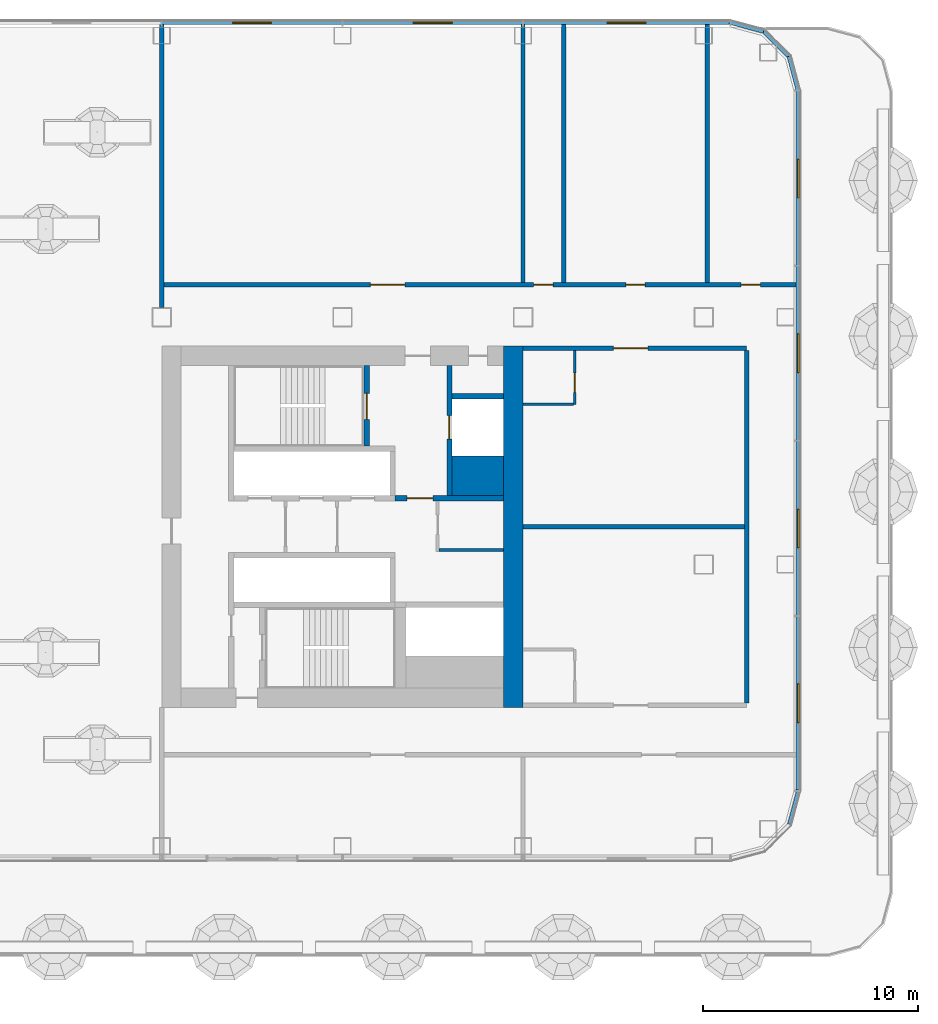
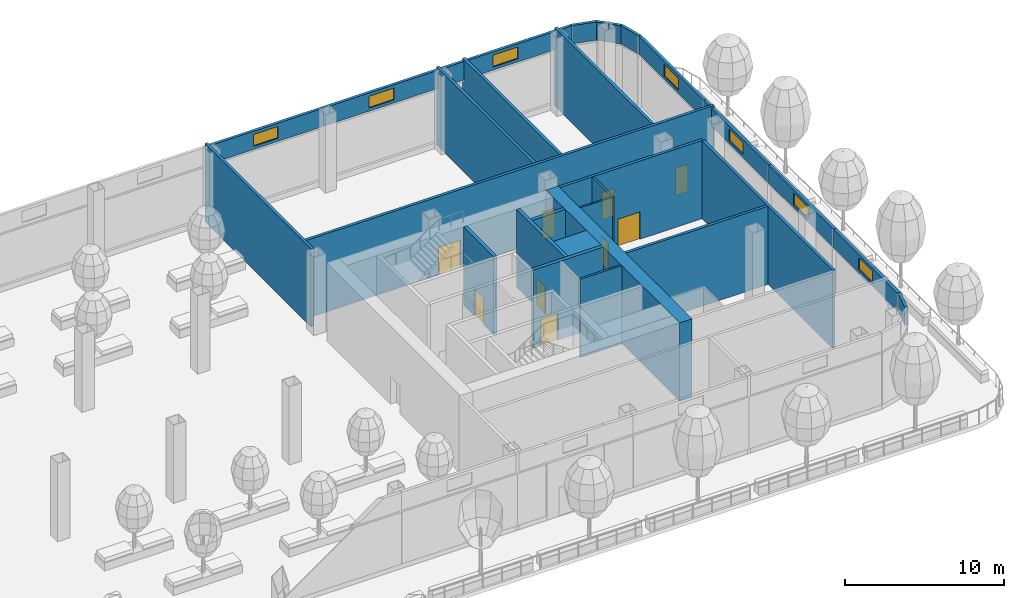
# One storey, part 16 of 44: 28 walls, 9 doors, 7 windows, 16 openings, 4 elements without a shape of their own.
"""IFC4 building model written with IfcOpenShell, lengths in metres."""

from ifc_helpers import new_model, si_unit, direction, frame, frame_2d, origin, place, context, subcontext, project, spatial, rectangle, extrude, material, layer, layer_set, type_object, element, fill, aggregate, save


model = new_model("IFC4")

# Units and contexts
model_context = context("Model", 3, precision=1e-05, world=origin(), true_north=direction((0.0, 1.0)))
body_context = subcontext(model_context, "Body", "Model", "MODEL_VIEW")
ifc_project = project(units=[si_unit("LENGTHUNIT", "METRE"), si_unit("AREAUNIT", "SQUARE_METRE"), si_unit("VOLUMEUNIT", "CUBIC_METRE"), si_unit("PLANEANGLEUNIT", "RADIAN"), si_unit("MASSUNIT", "GRAM", prefix="KILO")], contexts=[model_context])

# Site, building, storey
site_placement = place(None, origin())
site = spatial("IfcSite", under=ifc_project, at=site_placement, CompositionType="ELEMENT")
building_placement = place(site_placement, origin())
building = spatial("IfcBuilding", under=site, at=building_placement, Name="Hakoniwa Tower and Hamabe Station Hall", CompositionType="ELEMENT")
storey_placement = place(building_placement, frame((0.0, 0.0, 69.0)))
storey = spatial("IfcBuildingStorey", under=building, at=storey_placement, Name="L19", CompositionType="ELEMENT", Elevation=69.0)

# Walls
ifc_material_1 = material(Name="Gypsum board partition")
ifc_layer_1 = layer(ifc_material_1, 0.14990234375)
ifc_layer_set_1 = layer_set([ifc_layer_1], Name="CORE PARTITION 150 EI 60")
wall_type_1 = type_object("IfcWallType", Name="CORE PARTITION 150 EI 60", PredefinedType="PARTITIONING", material=ifc_layer_set_1)
wall_1_placement = place(storey_placement, frame((29.699951171875, -1.074951171875, 0.0), z_axis=(0.0, 0.0, 1.0), x_axis=(1.0, 0.0, 0.0)))
element("IfcWall", 1, at=wall_1_placement, inside=storey, type_object=wall_type_1, Name="Core partition PS east", PredefinedType="PARTITIONING", context=body_context, shape_type="SweptSolid", body=[
    extrude(rectangle(XDim=3.0, YDim=0.14990234375, at=frame_2d((1.5, 0.0))), origin(), (0.0, 0.0, 1.0), 6.0),
])
ifc_material_2 = material(Name="Concrete C72", Category="concrete")
ifc_layer_2 = layer(ifc_material_2, 0.89990234375)
ifc_layer_set_2 = layer_set([ifc_layer_2], Name="CORE WALL 900 C72")
wall_type_2 = type_object("IfcWallType", Name="CORE WALL 900 C72", PredefinedType="SHEAR", material=ifc_layer_set_2)
wall_2_placement = place(storey_placement, frame((33.14990234375, -8.39990234375, 0.0), z_axis=(0.0, 0.0, 1.0), x_axis=(0.0, 1.0, 0.0)))
element("IfcWall", 2, at=wall_2_placement, inside=storey, type_object=wall_type_2, Name="Core wall OUTER east", PredefinedType="SHEAR", context=body_context, shape_type="SweptSolid", body=[
    extrude(rectangle(XDim=16.7998046875, YDim=0.89990234375, at=frame_2d((8.39990234375, 0.0))), origin(), (0.0, 0.0, 1.0), 6.0),
])
ifc_material_3 = material(Name="Concrete C72", Category="concrete")
ifc_layer_3 = layer(ifc_material_3, 1.85009765625)
ifc_layer_set_3 = layer_set([ifc_layer_3], Name="CORE WEB WALL 1850 C72")
wall_type_3 = type_object("IfcWallType", Name="CORE WEB WALL 1850 C72", PredefinedType="SHEAR", material=ifc_layer_set_3)
wall_3_placement = place(storey_placement, frame((30.300048828125, 2.375, 0.0), z_axis=(0.0, 0.0, 1.0), x_axis=(1.0, 0.0, 0.0)))
element("IfcWall", 3, at=wall_3_placement, inside=storey, type_object=wall_type_3, Name="Core wall CA east", PredefinedType="SHEAR", context=body_context, shape_type="SweptSolid", body=[
    extrude(rectangle(XDim=2.39990234375, YDim=1.85009765625, at=frame_2d((1.199951171875, 0.0))), origin(), (0.0, 0.0, 1.0), 6.0),
])

# Wall, opening, door
ifc_material_4 = material(Name="Concrete C72", Category="concrete")
ifc_layer_4 = layer(ifc_material_4, 0.25)
ifc_layer_set_4 = layer_set([ifc_layer_4], Name="CORE WEB WALL 250 C72")
wall_type_4 = type_object("IfcWallType", Name="CORE WEB WALL 250 C72", PredefinedType="SHEAR", material=ifc_layer_set_4)
wall_4_placement = place(storey_placement, frame((26.324951171875, 3.75, 0.0), z_axis=(0.0, 0.0, 1.0), x_axis=(0.0, 1.0, 0.0)))
wall_4 = element("IfcWall", 4, at=wall_4_placement, inside=storey, type_object=wall_type_4, Name="Core wall NSE east", PredefinedType="SHEAR", context=body_context, shape_type="SweptSolid", body=[
    extrude(rectangle(XDim=3.75, YDim=0.25, at=frame_2d((1.875, 0.0))), origin(), (0.0, 0.0, 1.0), 6.0),
])
opening_1_placement = place(wall_4_placement, frame((1.25, 0.0, 0.0)))
opening_1 = element("IfcOpeningElement", 5, at=opening_1_placement, cuts=wall_4, Name="Opening CD-E-SN-12", PredefinedType="OPENING", context=body_context, shape_type="SweptSolid", body=[
    extrude(rectangle(XDim=1.199951171875, YDim=2.10009765625, at=frame_2d((0.60009765625, 1.050048828125))), frame((0.0, 0.135009765625, 0.0), z_axis=(0.0, -1.0, 0.0), x_axis=(1.0, 0.0, 0.0)), (0.0, 0.0, 1.0), 0.27001953125),
])
ifc_material_5 = material(Name="Steel fire door", Category="steel")
door_type_1 = type_object("IfcDoorType", Name="CORE DOOR 1200 FD60", OperationType="DOUBLE_DOOR_SINGLE_SWING", PredefinedType="DOOR", material=ifc_material_5)
door_1_placement = place(opening_1_placement, origin())
door_1 = element("IfcDoor", 6, at=door_1_placement, inside=storey, type_object=door_type_1, Name="Escape stair door", OperationType="DOUBLE_DOOR_SINGLE_SWING", OverallHeight=2.10009765625, OverallWidth=1.199951171875, PredefinedType="DOOR", context=body_context, shape_type="SweptSolid", body=[
    extrude(rectangle(XDim=1.199951171875, YDim=2.10009765625, at=frame_2d((0.60009765625, 1.050048828125))), frame((0.0, 0.02490234375, 0.0), z_axis=(0.0, -1.0, 0.0), x_axis=(1.0, 0.0, 0.0)), (0.0, 0.0, 1.0), 0.050048828125),
])
fill(opening_1, door_1)

wall_5_placement = place(storey_placement, frame((27.64990234375, 1.324951171875, 0.0), z_axis=(0.0, 0.0, 1.0), x_axis=(1.0, 0.0, 0.0)))
wall_5 = element("IfcWall", 7, at=wall_5_placement, inside=storey, type_object=wall_type_4, Name="Core wall ELN east", PredefinedType="SHEAR", context=body_context, shape_type="SweptSolid", body=[
    extrude(rectangle(XDim=5.050048828125, YDim=0.25, at=frame_2d((2.52490234375, 0.0))), origin(), (0.0, 0.0, 1.0), 6.0),
])
opening_2_placement = place(wall_5_placement, frame((0.550048828125, 0.0, 0.0)))
opening_2 = element("IfcOpeningElement", 8, at=opening_2_placement, cuts=wall_5, Name="Opening CD-E-FL-12", PredefinedType="OPENING", context=body_context, shape_type="SweptSolid", body=[
    extrude(rectangle(XDim=1.199951171875, YDim=2.10009765625, at=frame_2d((0.60009765625, 1.050048828125))), frame((0.0, 0.135009765625, 0.0), z_axis=(0.0, -1.0, 0.0), x_axis=(1.0, 0.0, 0.0)), (0.0, 0.0, 1.0), 0.27001953125),
])
door_2_placement = place(opening_2_placement, origin())
door_2 = element("IfcDoor", 9, at=door_2_placement, inside=storey, type_object=door_type_1, Name="Stair vestibule door to the fire-fighting lobby", OperationType="DOUBLE_DOOR_SINGLE_SWING", OverallHeight=2.10009765625, OverallWidth=1.199951171875, PredefinedType="DOOR", context=body_context, shape_type="SweptSolid", body=[
    extrude(rectangle(XDim=1.199951171875, YDim=2.10009765625, at=frame_2d((0.60009765625, 1.050048828125))), frame((0.0, 0.02490234375, 0.0), z_axis=(0.0, -1.0, 0.0), x_axis=(1.0, 0.0, 0.0)), (0.0, 0.0, 1.0), 0.050048828125),
])
fill(opening_2, door_2)

wall_6_placement = place(storey_placement, frame((30.175048828125, 1.449951171875, 0.0), z_axis=(0.0, 0.0, 1.0), x_axis=(0.0, 1.0, 0.0)))
wall_6 = element("IfcWall", 10, at=wall_6_placement, inside=storey, type_object=wall_type_4, Name="Core wall FFF east", PredefinedType="SHEAR", context=body_context, shape_type="SweptSolid", body=[
    extrude(rectangle(XDim=6.050048828125, YDim=0.25, at=frame_2d((3.02490234375, 0.0))), origin(), (0.0, 0.0, 1.0), 6.0),
])
opening_3_placement = place(wall_6_placement, frame((2.625, 0.0, 0.0)))
opening_3 = element("IfcOpeningElement", 11, at=opening_3_placement, cuts=wall_6, Name="Opening LD-FF2", PredefinedType="OPENING", context=body_context, shape_type="SweptSolid", body=[
    extrude(rectangle(XDim=1.10009765625, YDim=2.10009765625, at=frame_2d((0.550048828125, 1.050048828125))), frame((0.0, 0.135009765625, 0.0), z_axis=(0.0, -1.0, 0.0), x_axis=(1.0, 0.0, 0.0)), (0.0, 0.0, 1.0), 0.27001953125),
])
ifc_material_6 = material(Name="Stainless steel SUS304", Category="steel")
door_type_2 = type_object("IfcDoorType", Name="LIFT LANDING DOOR 1100 FD60", OperationType="DOUBLE_DOOR_SLIDING", PredefinedType="DOOR", material=ifc_material_6)
door_3_placement = place(opening_3_placement, origin())
door_3 = element("IfcDoor", 12, at=door_3_placement, inside=storey, type_object=door_type_2, Name="Lift landing door FF2 L19", OperationType="DOUBLE_DOOR_SLIDING", OverallHeight=2.10009765625, OverallWidth=1.10009765625, PredefinedType="DOOR", context=body_context, shape_type="SweptSolid", body=[
    extrude(rectangle(XDim=1.10009765625, YDim=2.10009765625, at=frame_2d((0.550048828125, 1.050048828125))), frame((0.0, 0.02490234375, 0.0), z_axis=(0.0, -1.0, 0.0), x_axis=(1.0, 0.0, 0.0)), (0.0, 0.0, 1.0), 0.050048828125),
])
fill(opening_3, door_3)

# Wall
wall_7_placement = place(storey_placement, frame((30.300048828125, 6.074951171875, 0.0), z_axis=(0.0, 0.0, 1.0), x_axis=(1.0, 0.0, 0.0)))
element("IfcWall", 13, at=wall_7_placement, inside=storey, type_object=wall_type_4, Name="Core wall C2 east", PredefinedType="SHEAR", context=body_context, shape_type="SweptSolid", body=[
    extrude(rectangle(XDim=2.39990234375, YDim=0.25, at=frame_2d((1.199951171875, 0.0))), origin(), (0.0, 0.0, 1.0), 6.0),
])

# Wall, opening, door
ifc_material_7 = material(Name="Fire-rated gypsum board partition", Category="gypsum")
ifc_layer_5 = layer(ifc_material_7, 0.199951171875)
ifc_layer_set_5 = layer_set([ifc_layer_5], Name="Corridor Wall 200")
wall_type_5 = type_object("IfcWallType", Name="Corridor Wall 200", PredefinedType="PARTITIONING", material=ifc_layer_set_5)
wall_8_placement = place(storey_placement, frame((33.60009765625, 8.300048828125, 0.0), z_axis=(0.0, 0.0, 1.0), x_axis=(1.0, 0.0, 0.0)))
wall_8 = element("IfcWall", 14, at=wall_8_placement, inside=storey, type_object=wall_type_5, Name="GW-L19-010", PredefinedType="PARTITIONING", context=body_context, shape_type="SweptSolid", body=[
    extrude(rectangle(XDim=10.39990234375, YDim=0.199951171875, at=frame_2d((5.199951171875, 0.0))), origin(), (0.0, 0.0, 1.0), 6.0),
])
opening_4_placement = place(wall_8_placement, frame((4.199951171875, 0.0, 0.0)))
opening_4 = element("IfcOpeningElement", 15, at=opening_4_placement, cuts=wall_8, Name="Opening GD-SL19-08", PredefinedType="OPENING", context=body_context, shape_type="SweptSolid", body=[
    extrude(rectangle(XDim=1.60009765625, YDim=2.10009765625, at=frame_2d((0.800048828125, 1.050048828125))), frame((0.0, 0.10986328125, 0.0), z_axis=(0.0, -1.0, 0.0), x_axis=(1.0, 0.0, 0.0)), (0.0, 0.0, 1.0), 0.219970703125),
])
ifc_material_8 = material(Name="Timber door leaf", Category="wood")
door_type_3 = type_object("IfcDoorType", Name="Double Door 1600", OperationType="DOUBLE_DOOR_SINGLE_SWING", PredefinedType="DOOR", material=ifc_material_8)
door_4_placement = place(opening_4_placement, origin())
door_4 = element("IfcDoor", 16, at=door_4_placement, inside=storey, type_object=door_type_3, Name="Door GD-SL19-08", OperationType="DOUBLE_DOOR_SINGLE_SWING", OverallHeight=2.10009765625, OverallWidth=1.60009765625, PredefinedType="DOOR", context=body_context, shape_type="SweptSolid", body=[
    extrude(rectangle(XDim=1.60009765625, YDim=2.10009765625, at=frame_2d((0.800048828125, 1.050048828125))), frame((0.0, 0.02490234375, 0.0), z_axis=(0.0, -1.0, 0.0), x_axis=(1.0, 0.0, 0.0)), (0.0, 0.0, 1.0), 0.050048828125),
])
fill(opening_4, door_4)

# Wall, openings, doors
wall_9_placement = place(storey_placement, frame((16.800048828125, 11.25, 0.0), z_axis=(0.0, 0.0, 1.0), x_axis=(1.0, 0.0, 0.0)))
wall_9 = element("IfcWall", 17, at=wall_9_placement, inside=storey, type_object=wall_type_5, Name="GW-L19-012", PredefinedType="PARTITIONING", context=body_context, shape_type="SweptSolid", body=[
    extrude(rectangle(XDim=29.699951171875, YDim=0.199951171875, at=frame_2d((14.85009765625, 0.0))), origin(), (0.0, 0.0, 1.0), 6.0),
])
opening_5_placement = place(wall_9_placement, frame((9.699951171875, 0.0, 0.0)))
opening_5 = element("IfcOpeningElement", 18, at=opening_5_placement, cuts=wall_9, Name="Opening GD-SL19-13", PredefinedType="OPENING", context=body_context, shape_type="SweptSolid", body=[
    extrude(rectangle(XDim=1.60009765625, YDim=2.10009765625, at=frame_2d((0.800048828125, 1.050048828125))), frame((0.0, 0.10986328125, 0.0), z_axis=(0.0, -1.0, 0.0), x_axis=(1.0, 0.0, 0.0)), (0.0, 0.0, 1.0), 0.219970703125),
])
opening_6_placement = place(wall_9_placement, frame((17.294921875, 0.0, 0.0)))
opening_6 = element("IfcOpeningElement", 19, at=opening_6_placement, cuts=wall_9, Name="Opening GD-SL19-14", PredefinedType="OPENING", context=body_context, shape_type="SweptSolid", body=[
    extrude(rectangle(XDim=0.89990234375, YDim=2.10009765625, at=frame_2d((0.449951171875, 1.050048828125))), frame((0.0, 0.10986328125, 0.0), z_axis=(0.0, -1.0, 0.0), x_axis=(1.0, 0.0, 0.0)), (0.0, 0.0, 1.0), 0.219970703125),
])
opening_7_placement = place(wall_9_placement, frame((21.580078125, 0.0, 0.0)))
opening_7 = element("IfcOpeningElement", 20, at=opening_7_placement, cuts=wall_9, Name="Opening GD-SL19-15", PredefinedType="OPENING", context=body_context, shape_type="SweptSolid", body=[
    extrude(rectangle(XDim=0.89990234375, YDim=2.10009765625, at=frame_2d((0.449951171875, 1.050048828125))), frame((0.0, 0.10986328125, 0.0), z_axis=(0.0, -1.0, 0.0), x_axis=(1.0, 0.0, 0.0)), (0.0, 0.0, 1.0), 0.219970703125),
])
opening_8_placement = place(wall_9_placement, frame((26.93505859375, 0.0, 0.0)))
opening_8 = element("IfcOpeningElement", 21, at=opening_8_placement, cuts=wall_9, Name="Opening GD-SL19-16", PredefinedType="OPENING", context=body_context, shape_type="SweptSolid", body=[
    extrude(rectangle(XDim=0.89990234375, YDim=2.10009765625, at=frame_2d((0.449951171875, 1.050048828125))), frame((0.0, 0.10986328125, 0.0), z_axis=(0.0, -1.0, 0.0), x_axis=(1.0, 0.0, 0.0)), (0.0, 0.0, 1.0), 0.219970703125),
])
door_5_placement = place(opening_5_placement, origin())
door_5 = element("IfcDoor", 22, at=door_5_placement, inside=storey, type_object=door_type_3, Name="Door GD-SL19-13", OperationType="DOUBLE_DOOR_SINGLE_SWING", OverallHeight=2.10009765625, OverallWidth=1.60009765625, PredefinedType="DOOR", context=body_context, shape_type="SweptSolid", body=[
    extrude(rectangle(XDim=1.60009765625, YDim=2.10009765625, at=frame_2d((0.800048828125, 1.050048828125))), frame((0.0, 0.02490234375, 0.0), z_axis=(0.0, -1.0, 0.0), x_axis=(1.0, 0.0, 0.0)), (0.0, 0.0, 1.0), 0.050048828125),
])
fill(opening_5, door_5)
ifc_material_9 = material(Name="Timber door leaf", Category="wood")
door_type_4 = type_object("IfcDoorType", Name="Service Door 900", OperationType="SINGLE_SWING_LEFT", PredefinedType="DOOR", material=ifc_material_9)
door_6_placement = place(opening_6_placement, origin())
door_6 = element("IfcDoor", 23, at=door_6_placement, inside=storey, type_object=door_type_4, Name="Door GD-SL19-14", OperationType="SINGLE_SWING_LEFT", OverallHeight=2.10009765625, OverallWidth=0.89990234375, PredefinedType="DOOR", context=body_context, shape_type="SweptSolid", body=[
    extrude(rectangle(XDim=0.89990234375, YDim=2.10009765625, at=frame_2d((0.449951171875, 1.050048828125))), frame((0.0, 0.02490234375, 0.0), z_axis=(0.0, -1.0, 0.0), x_axis=(1.0, 0.0, 0.0)), (0.0, 0.0, 1.0), 0.050048828125),
])
fill(opening_6, door_6)
door_7_placement = place(opening_7_placement, origin())
door_7 = element("IfcDoor", 24, at=door_7_placement, inside=storey, type_object=door_type_4, Name="Door GD-SL19-15", OperationType="SINGLE_SWING_RIGHT", OverallHeight=2.10009765625, OverallWidth=0.89990234375, PredefinedType="DOOR", context=body_context, shape_type="SweptSolid", body=[
    extrude(rectangle(XDim=0.89990234375, YDim=2.10009765625, at=frame_2d((0.449951171875, 1.050048828125))), frame((0.0, 0.02490234375, 0.0), z_axis=(0.0, -1.0, 0.0), x_axis=(1.0, 0.0, 0.0)), (0.0, 0.0, 1.0), 0.050048828125),
])
fill(opening_7, door_7)
door_8_placement = place(opening_8_placement, origin())
door_8 = element("IfcDoor", 25, at=door_8_placement, inside=storey, type_object=door_type_4, Name="Door GD-SL19-16", OperationType="SINGLE_SWING_RIGHT", OverallHeight=2.10009765625, OverallWidth=0.89990234375, PredefinedType="DOOR", context=body_context, shape_type="SweptSolid", body=[
    extrude(rectangle(XDim=0.89990234375, YDim=2.10009765625, at=frame_2d((0.449951171875, 1.050048828125))), frame((0.0, 0.02490234375, 0.0), z_axis=(0.0, -1.0, 0.0), x_axis=(1.0, 0.0, 0.0)), (0.0, 0.0, 1.0), 0.050048828125),
])
fill(opening_8, door_8)

# Walls
ifc_material_10 = material(Name="Fire-rated gypsum board partition", Category="gypsum")
ifc_layer_6 = layer(ifc_material_10, 0.199951171875)
ifc_layer_set_6 = layer_set([ifc_layer_6], Name="Party Wall 200")
wall_type_6 = type_object("IfcWallType", Name="Party Wall 200", PredefinedType="PARTITIONING", material=ifc_layer_set_6)
wall_10_placement = place(storey_placement, frame((33.60009765625, 0.0, 0.0), z_axis=(0.0, 0.0, 1.0), x_axis=(1.0, 0.0, 0.0)))
element("IfcWall", 26, at=wall_10_placement, inside=storey, type_object=wall_type_6, Name="GW-L19-007", PredefinedType="PARTITIONING", context=body_context, shape_type="SweptSolid", body=[
    extrude(rectangle(XDim=10.2998046875, YDim=0.199951171875, at=frame_2d((5.14990234375, 0.0))), origin(), (0.0, 0.0, 1.0), 6.0),
])
wall_11_placement = place(storey_placement, frame((16.800048828125, 10.18994140625, 0.0), z_axis=(0.0, 0.0, 1.0), x_axis=(0.0, 1.0, 0.0)))
element("IfcWall", 27, at=wall_11_placement, inside=storey, type_object=wall_type_6, Name="GW-L19-021", PredefinedType="PARTITIONING", context=body_context, shape_type="SweptSolid", body=[
    extrude(rectangle(XDim=13.360107421875, YDim=0.199951171875, at=frame_2d((6.68017578125, 0.0))), origin(), (0.0, 0.0, 1.0), 6.0),
])
for number, where, z_axis, x_axis, name in (
    (28, (33.60009765625, 11.35009765625, 0.0), (0.0, 0.0, 1.0), (0.0, 1.0, 0.0), "GW-L19-023"),
    (29, (35.489990234375, 11.35009765625, 0.0), (0.0, 0.0, 1.0), (0.0, 1.0, 0.0), "GW-L19-024"),
    (30, (42.169921875, 11.35009765625, 0.0), (0.0, 0.0, 1.0), (0.0, 1.0, 0.0), "GW-L19-027"),
):
    element("IfcWall", number, at=place(storey_placement, frame(where, z_axis=z_axis, x_axis=x_axis)), inside=storey, type_object=wall_type_6, Name=name, PredefinedType="PARTITIONING", context=body_context, shape_type="SweptSolid", body=[
        extrude(rectangle(XDim=12.199951171875, YDim=0.199951171875, at=frame_2d((6.10009765625, 0.0))), origin(), (0.0, 0.0, 1.0), 6.0),
    ])
wall_12_placement = place(storey_placement, frame((44.0, -8.199951171875, 0.0), z_axis=(0.0, 0.0, 1.0), x_axis=(0.0, 1.0, 0.0)))
element("IfcWall", 31, at=wall_12_placement, inside=storey, type_object=wall_type_6, Name="GW-L19-028", PredefinedType="PARTITIONING", context=body_context, shape_type="SweptSolid", body=[
    extrude(rectangle(XDim=16.39990234375, YDim=0.199951171875, at=frame_2d((8.199951171875, 0.0))), origin(), (0.0, 0.0, 1.0), 6.0),
])
ifc_material_11 = material(Name="Gypsum board partition", Category="gypsum")
ifc_layer_7 = layer(ifc_material_11, 0.125)
ifc_layer_set_7 = layer_set([ifc_layer_7], Name="Room Partition 125")
wall_type_7 = type_object("IfcWallType", Name="Room Partition 125", PredefinedType="PARTITIONING", material=ifc_layer_set_7)
wall_13_placement = place(storey_placement, frame((33.60009765625, 5.699951171875, 0.0), z_axis=(0.0, 0.0, 1.0), x_axis=(1.0, 0.0, 0.0)))
element("IfcWall", 32, at=wall_13_placement, inside=storey, type_object=wall_type_7, Name="GW-L19-008", PredefinedType="PARTITIONING", context=body_context, shape_type="SweptSolid", body=[
    extrude(rectangle(XDim=2.33740234375, YDim=0.125, at=frame_2d((1.168701171875, 0.0))), origin(), (0.0, 0.0, 1.0), 6.0),
])

# Wall, opening, door
wall_14_placement = place(storey_placement, frame((36.0, 5.699951171875, 0.0), z_axis=(0.0, 0.0, 1.0), x_axis=(0.0, 1.0, 0.0)))
wall_14 = element("IfcWall", 33, at=wall_14_placement, inside=storey, type_object=wall_type_7, Name="GW-L19-026", PredefinedType="PARTITIONING", context=body_context, shape_type="SweptSolid", body=[
    extrude(rectangle(XDim=2.5, YDim=0.125, at=frame_2d((1.25, 0.0))), origin(), (0.0, 0.0, 1.0), 6.0),
])
opening_9_placement = place(wall_14_placement, frame((0.550048828125, 0.0, 0.0)))
opening_9 = element("IfcOpeningElement", 34, at=opening_9_placement, cuts=wall_14, Name="Opening GD-SL19-18", PredefinedType="OPENING", context=body_context, shape_type="SweptSolid", body=[
    extrude(rectangle(XDim=0.89990234375, YDim=2.10009765625, at=frame_2d((0.449951171875, 1.050048828125))), frame((0.0, 0.072509765625, 0.0), z_axis=(0.0, -1.0, 0.0), x_axis=(1.0, 0.0, 0.0)), (0.0, 0.0, 1.0), 0.14501953125),
])
ifc_material_12 = material(Name="Timber door leaf", Category="wood")
door_type_5 = type_object("IfcDoorType", Name="Suite Interior Door 900", OperationType="SINGLE_SWING_LEFT", PredefinedType="DOOR", material=ifc_material_12)
door_9_placement = place(opening_9_placement, origin())
door_9 = element("IfcDoor", 35, at=door_9_placement, inside=storey, type_object=door_type_5, Name="Door GD-SL19-18", OperationType="SINGLE_SWING_RIGHT", OverallHeight=2.10009765625, OverallWidth=0.89990234375, PredefinedType="DOOR", context=body_context, shape_type="SweptSolid", body=[
    extrude(rectangle(XDim=0.89990234375, YDim=2.10009765625, at=frame_2d((0.449951171875, 1.050048828125))), frame((0.0, 0.02490234375, 0.0), z_axis=(0.0, -1.0, 0.0), x_axis=(1.0, 0.0, 0.0)), (0.0, 0.0, 1.0), 0.050048828125),
])
fill(opening_9, door_9)

# Curtain wall, walls, openings, windows
ifc_material_13 = material(Name="Dark low-e laminated glass", Category="glass")
ifc_layer_8 = layer(ifc_material_13, 0.199951171875)
ifc_layer_set_8 = layer_set([ifc_layer_8], Name="CW-2 SKY GARDEN")
curtain_wall_type = type_object("IfcCurtainWallType", Name="CW-2 SKY GARDEN", PredefinedType="NOTDEFINED", material=ifc_layer_set_8)
curtain_wall_1_placement = place(storey_placement, origin())
curtain_wall_1 = element("IfcCurtainWall", 36, at=curtain_wall_1_placement, inside=storey, type_object=curtain_wall_type, Name="CW-2 curtain wall", PredefinedType="NOTDEFINED")
ifc_material_14 = material(Name="Dark glass-faced aluminium panel", Category="aluminium")
ifc_layer_9 = layer(ifc_material_14, 0.199951171875)
ifc_layer_set_9 = layer_set([ifc_layer_9], Name="VENT BAND WALL")
wall_type_8 = type_object("IfcWallType", Name="VENT BAND WALL", PredefinedType="NOTDEFINED", material=ifc_layer_set_9)
wall_15_placement = place(storey_placement, frame((46.39990234375, -12.259521484375, 4.449951171875), z_axis=(0.0, 0.0, 1.0), x_axis=(0.0, 1.0, 0.0)))
wall_15 = element("IfcWall", 37, at=wall_15_placement, type_object=wall_type_8, Name="Vent band wall", PredefinedType="NOTDEFINED", context=body_context, shape_type="SweptSolid", body=[
    extrude(rectangle(XDim=8.11474609375, YDim=0.199951171875, at=frame_2d((4.057373046875, 0.0))), origin(), (0.0, 0.0, 1.0), 1.400146484375),
])
opening_10_placement = place(wall_15_placement, frame((3.157470703125, 0.0, 0.25)))
opening_10 = element("IfcOpeningElement", 38, at=opening_10_placement, cuts=wall_15, Name="Opening VW-1", PredefinedType="OPENING", context=body_context, shape_type="SweptSolid", body=[
    extrude(rectangle(XDim=1.800048828125, YDim=0.89990234375, at=frame_2d((0.89990234375, 0.449951171875))), frame((0.0, 0.10986328125, 0.0), z_axis=(0.0, -1.0, 0.0), x_axis=(1.0, 0.0, 0.0)), (0.0, 0.0, 1.0), 0.219970703125),
])
ifc_material_15 = material(Name="Dark low-e laminated glass", Category="glass")
window_type = type_object("IfcWindowType", Name="VENT WINDOW 1800X900", PartitioningType="SINGLE_PANEL", PredefinedType="WINDOW", material=ifc_material_15)
window_1_placement = place(opening_10_placement, origin())
window_1 = element("IfcWindow", 39, at=window_1_placement, inside=storey, type_object=window_type, Name="Vent window", OverallHeight=0.89990234375, OverallWidth=1.800048828125, PartitioningType="SINGLE_PANEL", PredefinedType="WINDOW", context=body_context, shape_type="SweptSolid", body=[
    extrude(rectangle(XDim=1.800048828125, YDim=0.89990234375, at=frame_2d((0.89990234375, 0.449951171875))), frame((0.0, 0.030029296875, 0.0), z_axis=(0.0, -1.0, 0.0), x_axis=(1.0, 0.0, 0.0)), (0.0, 0.0, 1.0), 0.06005859375),
])
fill(opening_10, window_1)
wall_16_placement = place(storey_placement, frame((46.39990234375, -4.144775390625, 4.449951171875), z_axis=(0.0, 0.0, 1.0), x_axis=(0.0, 1.0, 0.0)))
wall_16 = element("IfcWall", 40, at=wall_16_placement, type_object=wall_type_8, Name="Vent band wall", PredefinedType="NOTDEFINED", context=body_context, shape_type="SweptSolid", body=[
    extrude(rectangle(XDim=8.144775390625, YDim=0.199951171875, at=frame_2d((4.072265625, 0.0))), origin(), (0.0, 0.0, 1.0), 1.400146484375),
])
opening_11_placement = place(wall_16_placement, frame((3.17236328125, 0.0, 0.25)))
opening_11 = element("IfcOpeningElement", 41, at=opening_11_placement, cuts=wall_16, Name="Opening VW-1", PredefinedType="OPENING", context=body_context, shape_type="SweptSolid", body=[
    extrude(rectangle(XDim=1.800048828125, YDim=0.89990234375, at=frame_2d((0.89990234375, 0.449951171875))), frame((0.0, 0.10986328125, 0.0), z_axis=(0.0, -1.0, 0.0), x_axis=(1.0, 0.0, 0.0)), (0.0, 0.0, 1.0), 0.219970703125),
])
window_2_placement = place(opening_11_placement, origin())
window_2 = element("IfcWindow", 42, at=window_2_placement, inside=storey, type_object=window_type, Name="Vent window", OverallHeight=0.89990234375, OverallWidth=1.800048828125, PartitioningType="SINGLE_PANEL", PredefinedType="WINDOW", context=body_context, shape_type="SweptSolid", body=[
    extrude(rectangle(XDim=1.800048828125, YDim=0.89990234375, at=frame_2d((0.89990234375, 0.449951171875))), frame((0.0, 0.030029296875, 0.0), z_axis=(0.0, -1.0, 0.0), x_axis=(1.0, 0.0, 0.0)), (0.0, 0.0, 1.0), 0.06005859375),
])
fill(opening_11, window_2)
wall_17_placement = place(storey_placement, frame((46.39990234375, 4.0, 4.449951171875), z_axis=(0.0, 0.0, 1.0), x_axis=(0.0, 1.0, 0.0)))
wall_17 = element("IfcWall", 43, at=wall_17_placement, type_object=wall_type_8, Name="Vent band wall", PredefinedType="NOTDEFINED", context=body_context, shape_type="SweptSolid", body=[
    extrude(rectangle(XDim=8.144775390625, YDim=0.199951171875, at=frame_2d((4.072265625, 0.0))), origin(), (0.0, 0.0, 1.0), 1.400146484375),
])
opening_12_placement = place(wall_17_placement, frame((3.17236328125, 0.0, 0.25)))
opening_12 = element("IfcOpeningElement", 44, at=opening_12_placement, cuts=wall_17, Name="Opening VW-1", PredefinedType="OPENING", context=body_context, shape_type="SweptSolid", body=[
    extrude(rectangle(XDim=1.800048828125, YDim=0.89990234375, at=frame_2d((0.89990234375, 0.449951171875))), frame((0.0, 0.10986328125, 0.0), z_axis=(0.0, -1.0, 0.0), x_axis=(1.0, 0.0, 0.0)), (0.0, 0.0, 1.0), 0.219970703125),
])
window_3_placement = place(opening_12_placement, origin())
window_3 = element("IfcWindow", 45, at=window_3_placement, inside=storey, type_object=window_type, Name="Vent window", OverallHeight=0.89990234375, OverallWidth=1.800048828125, PartitioningType="SINGLE_PANEL", PredefinedType="WINDOW", context=body_context, shape_type="SweptSolid", body=[
    extrude(rectangle(XDim=1.800048828125, YDim=0.89990234375, at=frame_2d((0.89990234375, 0.449951171875))), frame((0.0, 0.030029296875, 0.0), z_axis=(0.0, -1.0, 0.0), x_axis=(1.0, 0.0, 0.0)), (0.0, 0.0, 1.0), 0.06005859375),
])
fill(opening_12, window_3)
wall_18_placement = place(storey_placement, frame((46.39990234375, 12.144775390625, 4.449951171875), z_axis=(0.0, 0.0, 1.0), x_axis=(0.0, 1.0, 0.0)))
wall_18 = element("IfcWall", 46, at=wall_18_placement, type_object=wall_type_8, Name="Vent band wall", PredefinedType="NOTDEFINED", context=body_context, shape_type="SweptSolid", body=[
    extrude(rectangle(XDim=8.11474609375, YDim=0.199951171875, at=frame_2d((4.057373046875, 0.0))), origin(), (0.0, 0.0, 1.0), 1.400146484375),
])
opening_13_placement = place(wall_18_placement, frame((3.157470703125, 0.0, 0.25)))
opening_13 = element("IfcOpeningElement", 47, at=opening_13_placement, cuts=wall_18, Name="Opening VW-1", PredefinedType="OPENING", context=body_context, shape_type="SweptSolid", body=[
    extrude(rectangle(XDim=1.800048828125, YDim=0.89990234375, at=frame_2d((0.89990234375, 0.449951171875))), frame((0.0, 0.10986328125, 0.0), z_axis=(0.0, -1.0, 0.0), x_axis=(1.0, 0.0, 0.0)), (0.0, 0.0, 1.0), 0.219970703125),
])
window_4_placement = place(opening_13_placement, origin())
window_4 = element("IfcWindow", 48, at=window_4_placement, inside=storey, type_object=window_type, Name="Vent window", OverallHeight=0.89990234375, OverallWidth=1.800048828125, PartitioningType="SINGLE_PANEL", PredefinedType="WINDOW", context=body_context, shape_type="SweptSolid", body=[
    extrude(rectangle(XDim=1.800048828125, YDim=0.89990234375, at=frame_2d((0.89990234375, 0.449951171875))), frame((0.0, 0.030029296875, 0.0), z_axis=(0.0, -1.0, 0.0), x_axis=(1.0, 0.0, 0.0)), (0.0, 0.0, 1.0), 0.06005859375),
])
fill(opening_13, window_4)
aggregate(curtain_wall_1, [wall_15, wall_16, wall_17, wall_18])

# Curtain wall, walls
curtain_wall_2_placement = place(storey_placement, origin())
curtain_wall_2 = element("IfcCurtainWall", 49, at=curtain_wall_2_placement, inside=storey, type_object=curtain_wall_type, Name="CW-2 curtain wall", PredefinedType="NOTDEFINED")
wall_19_placement = place(storey_placement, frame((46.395751953125, 20.29248046875, 4.449951171875), z_axis=(0.0, 0.0, 1.0), x_axis=(-0.258864833081, 0.965913556274, 0.0)))
wall_19 = element("IfcWall", 50, at=wall_19_placement, type_object=wall_type_8, Name="Vent band wall", PredefinedType="NOTDEFINED", context=body_context, shape_type="SweptSolid", body=[
    extrude(rectangle(XDim=1.642822265625, YDim=0.199951171875, at=frame_2d((0.8212890625, 0.0))), origin(), (0.0, 0.0, 1.0), 1.400146484375),
])
wall_20_placement = place(storey_placement, frame((45.970458984375, 21.87939453125, 4.449951171875), z_axis=(0.0, 0.0, 1.0), x_axis=(-0.707106781187, 0.707106781187, 0.0)))
wall_20 = element("IfcWall", 51, at=wall_20_placement, type_object=wall_type_8, Name="Vent band wall", PredefinedType="NOTDEFINED", context=body_context, shape_type="SweptSolid", body=[
    extrude(rectangle(XDim=1.713623046875, YDim=0.199951171875, at=frame_2d((0.85693359375, 0.0))), origin(), (0.0, 0.0, 1.0), 1.400146484375),
])
wall_21_placement = place(storey_placement, frame((44.78466796875, 23.04638671875, 4.449951171875), z_axis=(0.0, 0.0, 1.0), x_axis=(-0.965950704374, 0.258726180971, 0.0)))
wall_21 = element("IfcWall", 52, at=wall_21_placement, type_object=wall_type_8, Name="Vent band wall", PredefinedType="NOTDEFINED", context=body_context, shape_type="SweptSolid", body=[
    extrude(rectangle(XDim=1.642822265625, YDim=0.199951171875, at=frame_2d((0.8212890625, 0.0))), origin(), (0.0, 0.0, 1.0), 1.400146484375),
])
aggregate(curtain_wall_2, [wall_19, wall_20, wall_21])

# Curtain wall, walls, openings, windows
curtain_wall_3_placement = place(storey_placement, origin())
curtain_wall_3 = element("IfcCurtainWall", 53, at=curtain_wall_3_placement, inside=storey, type_object=curtain_wall_type, Name="CW-2 curtain wall", PredefinedType="NOTDEFINED")
wall_22_placement = place(storey_placement, frame((43.20947265625, 23.449951171875, 4.449951171875), z_axis=(0.0, 0.0, 1.0), x_axis=(-1.0, 0.0, 0.0)))
wall_22 = element("IfcWall", 54, at=wall_22_placement, type_object=wall_type_8, Name="Vent band wall", PredefinedType="NOTDEFINED", context=body_context, shape_type="SweptSolid", body=[
    extrude(rectangle(XDim=9.609375, YDim=0.199951171875, at=frame_2d((4.8046875, 0.0))), origin(), (0.0, 0.0, 1.0), 1.400146484375),
])
opening_14_placement = place(wall_22_placement, frame((3.90478515625, 0.0, 0.25)))
opening_14 = element("IfcOpeningElement", 55, at=opening_14_placement, cuts=wall_22, Name="Opening VW-1", PredefinedType="OPENING", context=body_context, shape_type="SweptSolid", body=[
    extrude(rectangle(XDim=1.800048828125, YDim=0.89990234375, at=frame_2d((0.89990234375, 0.449951171875))), frame((0.0, 0.10986328125, 0.0), z_axis=(0.0, -1.0, 0.0), x_axis=(1.0, 0.0, 0.0)), (0.0, 0.0, 1.0), 0.219970703125),
])
window_5_placement = place(opening_14_placement, origin())
window_5 = element("IfcWindow", 56, at=window_5_placement, inside=storey, type_object=window_type, Name="Vent window", OverallHeight=0.89990234375, OverallWidth=1.800048828125, PartitioningType="SINGLE_PANEL", PredefinedType="WINDOW", context=body_context, shape_type="SweptSolid", body=[
    extrude(rectangle(XDim=1.800048828125, YDim=0.89990234375, at=frame_2d((0.89990234375, 0.449951171875))), frame((0.0, 0.030029296875, 0.0), z_axis=(0.0, -1.0, 0.0), x_axis=(1.0, 0.0, 0.0)), (0.0, 0.0, 1.0), 0.06005859375),
])
fill(opening_14, window_5)
wall_23_placement = place(storey_placement, frame((33.60009765625, 23.449951171875, 4.449951171875), z_axis=(0.0, 0.0, 1.0), x_axis=(-1.0, 0.0, 0.0)))
wall_23 = element("IfcWall", 57, at=wall_23_placement, type_object=wall_type_8, Name="Vent band wall", PredefinedType="NOTDEFINED", context=body_context, shape_type="SweptSolid", body=[
    extrude(rectangle(XDim=8.400146484375, YDim=0.199951171875, at=frame_2d((4.2001953125, 0.0))), origin(), (0.0, 0.0, 1.0), 1.400146484375),
])
opening_15_placement = place(wall_23_placement, frame((3.300048828125, 0.0, 0.25)))
opening_15 = element("IfcOpeningElement", 58, at=opening_15_placement, cuts=wall_23, Name="Opening VW-1", PredefinedType="OPENING", context=body_context, shape_type="SweptSolid", body=[
    extrude(rectangle(XDim=1.800048828125, YDim=0.89990234375, at=frame_2d((0.89990234375, 0.449951171875))), frame((0.0, 0.10986328125, 0.0), z_axis=(0.0, -1.0, 0.0), x_axis=(1.0, 0.0, 0.0)), (0.0, 0.0, 1.0), 0.219970703125),
])
window_6_placement = place(opening_15_placement, origin())
window_6 = element("IfcWindow", 59, at=window_6_placement, inside=storey, type_object=window_type, Name="Vent window", OverallHeight=0.89990234375, OverallWidth=1.800048828125, PartitioningType="SINGLE_PANEL", PredefinedType="WINDOW", context=body_context, shape_type="SweptSolid", body=[
    extrude(rectangle(XDim=1.800048828125, YDim=0.89990234375, at=frame_2d((0.89990234375, 0.449951171875))), frame((0.0, 0.030029296875, 0.0), z_axis=(0.0, -1.0, 0.0), x_axis=(1.0, 0.0, 0.0)), (0.0, 0.0, 1.0), 0.06005859375),
])
fill(opening_15, window_6)
wall_24_placement = place(storey_placement, frame((25.199951171875, 23.449951171875, 4.449951171875), z_axis=(0.0, 0.0, 1.0), x_axis=(-1.0, 0.0, 0.0)))
wall_24 = element("IfcWall", 60, at=wall_24_placement, type_object=wall_type_8, Name="Vent band wall", PredefinedType="NOTDEFINED", context=body_context, shape_type="SweptSolid", body=[
    extrude(rectangle(XDim=8.39990234375, YDim=0.199951171875, at=frame_2d((4.199951171875, 0.0))), origin(), (0.0, 0.0, 1.0), 1.400146484375),
])
opening_16_placement = place(wall_24_placement, frame((3.300048828125, 0.0, 0.25)))
opening_16 = element("IfcOpeningElement", 61, at=opening_16_placement, cuts=wall_24, Name="Opening VW-1", PredefinedType="OPENING", context=body_context, shape_type="SweptSolid", body=[
    extrude(rectangle(XDim=1.800048828125, YDim=0.89990234375, at=frame_2d((0.89990234375, 0.449951171875))), frame((0.0, 0.10986328125, 0.0), z_axis=(0.0, -1.0, 0.0), x_axis=(1.0, 0.0, 0.0)), (0.0, 0.0, 1.0), 0.219970703125),
])
window_7_placement = place(opening_16_placement, origin())
window_7 = element("IfcWindow", 62, at=window_7_placement, inside=storey, type_object=window_type, Name="Vent window", OverallHeight=0.89990234375, OverallWidth=1.800048828125, PartitioningType="SINGLE_PANEL", PredefinedType="WINDOW", context=body_context, shape_type="SweptSolid", body=[
    extrude(rectangle(XDim=1.800048828125, YDim=0.89990234375, at=frame_2d((0.89990234375, 0.449951171875))), frame((0.0, 0.030029296875, 0.0), z_axis=(0.0, -1.0, 0.0), x_axis=(1.0, 0.0, 0.0)), (0.0, 0.0, 1.0), 0.06005859375),
])
fill(opening_16, window_7)
aggregate(curtain_wall_3, [wall_22, wall_23, wall_24])

# Curtain wall, wall
curtain_wall_4_placement = place(storey_placement, origin())
curtain_wall_4 = element("IfcCurtainWall", 63, at=curtain_wall_4_placement, inside=storey, type_object=curtain_wall_type, Name="CW-2 curtain wall", PredefinedType="NOTDEFINED")
wall_25_placement = place(storey_placement, frame((45.996337890625, -13.83447265625, 4.449951171875), z_axis=(0.0, 0.0, 1.0), x_axis=(0.258901994846, 0.965903596155, 0.0)))
wall_25 = element("IfcWall", 64, at=wall_25_placement, type_object=wall_type_8, Name="Vent band wall", PredefinedType="NOTDEFINED", context=body_context, shape_type="SweptSolid", body=[
    extrude(rectangle(XDim=1.642578125, YDim=0.199951171875, at=frame_2d((0.8212890625, 0.0))), origin(), (0.0, 0.0, 1.0), 1.400146484375),
])
aggregate(curtain_wall_4, [wall_25])

save(model, "model.ifc")
